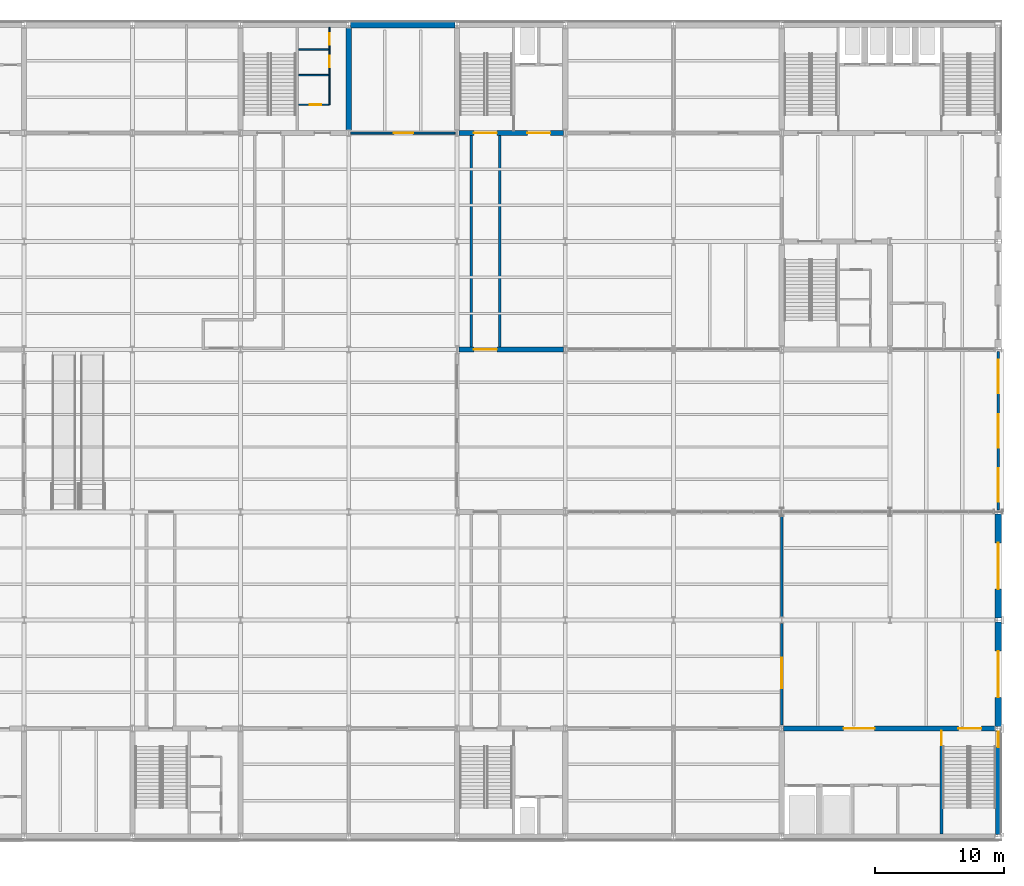
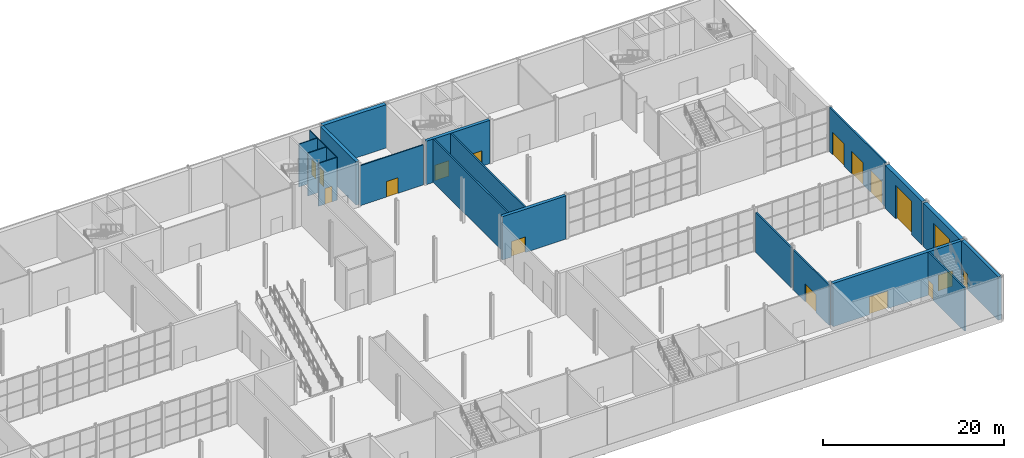
# One storey, part 35 of 55: 21 walls, 17 doors, 17 openings.
"""IFC4 building model written with IfcOpenShell, lengths in metres."""

from ifc_helpers import new_model, si_unit, direction, frame, frame_2d, origin, place, context, subcontext, project, spatial, rectangle, extrude, material, layer, layer_set, type_object, element, fill, save


model = new_model("IFC4")

# Units and contexts
model_context = context("Model", 3, precision=1e-05, world=origin(), true_north=direction((0.0, 1.0)))
body_context = subcontext(model_context, "Body", "Model", "MODEL_VIEW")
ifc_project = project(units=[si_unit("LENGTHUNIT", "METRE"), si_unit("AREAUNIT", "SQUARE_METRE"), si_unit("VOLUMEUNIT", "CUBIC_METRE"), si_unit("PLANEANGLEUNIT", "RADIAN"), si_unit("MASSUNIT", "GRAM", prefix="KILO")], contexts=[model_context])

# Site, building, storey
site_placement = place(None, origin())
site = spatial("IfcSite", under=ifc_project, at=site_placement, CompositionType="ELEMENT")
building_placement = place(site_placement, origin())
building = spatial("IfcBuilding", under=site, at=building_placement, Name="Galleria Vessillo Department Store", CompositionType="ELEMENT")
storey_placement = place(building_placement, origin())
storey = spatial("IfcBuildingStorey", under=building, at=storey_placement, Name="L00", CompositionType="ELEMENT", Elevation=0.0)

# Wall, openings, doors
ifc_material_1 = material(Name="Aluminium frame with laminated glass 44.2", Category="aluminium")
ifc_layer_1 = layer(ifc_material_1, 0.199951171875)
ifc_layer_set_1 = layer_set([ifc_layer_1], Name="Aluminium frame with laminated glass 44.2")
wall_type_1 = type_object("IfcWallType", Name="Glazed screen frame wall 200 mm", PredefinedType="STANDARD", material=ifc_layer_set_1)
wall_1_placement = place(storey_placement, frame((117.60009765625, 25.3525390625, 0.0), z_axis=(0.0, 0.0, 1.0), x_axis=(0.0, 1.0, 0.0)))
wall_1 = element("IfcWall", 1, at=wall_1_placement, inside=storey, type_object=wall_type_1, Name="Glazed screen frame wall 200 mm SCR-E-L00-01", PredefinedType="STANDARD", context=body_context, shape_type="SweptSolid", body=[
    extrude(rectangle(XDim=12.29443359375, YDim=0.199951171875, at=frame_2d((6.147216796875, 0.0))), origin(), (0.0, 0.0, 1.0), 6.0),
])
opening_1_placement = place(wall_1_placement, frame((0.6474609375, 0.0, 0.0)))
opening_1 = element("IfcOpeningElement", 2, at=opening_1_placement, cuts=wall_1, Name="Opening DS-E1", PredefinedType="OPENING", context=body_context, shape_type="SweptSolid", body=[
    extrude(rectangle(XDim=2.60009765625, YDim=3.0, at=frame_2d((1.300048828125, 1.5))), frame((0.0, 0.10986328125, 0.0), z_axis=(0.0, -1.0, 0.0), x_axis=(1.0, 0.0, 0.0)), (0.0, 0.0, 1.0), 0.219970703125),
])
opening_2_placement = place(wall_1_placement, frame((4.847412109375, 0.0, 0.0)))
opening_2 = element("IfcOpeningElement", 3, at=opening_2_placement, cuts=wall_1, Name="Opening DS-E2", PredefinedType="OPENING", context=body_context, shape_type="SweptSolid", body=[
    extrude(rectangle(XDim=2.60009765625, YDim=3.0, at=frame_2d((1.300048828125, 1.5))), frame((0.0, 0.10986328125, 0.0), z_axis=(0.0, -1.0, 0.0), x_axis=(1.0, 0.0, 0.0)), (0.0, 0.0, 1.0), 0.219970703125),
])
opening_3_placement = place(wall_1_placement, frame((9.04736328125, 0.0, 0.0)))
opening_3 = element("IfcOpeningElement", 4, at=opening_3_placement, cuts=wall_1, Name="Opening DS-E3", PredefinedType="OPENING", context=body_context, shape_type="SweptSolid", body=[
    extrude(rectangle(XDim=2.60009765625, YDim=3.0, at=frame_2d((1.300048828125, 1.5))), frame((0.0, 0.10986328125, 0.0), z_axis=(0.0, -1.0, 0.0), x_axis=(1.0, 0.0, 0.0)), (0.0, 0.0, 1.0), 0.219970703125),
])
ifc_material_2 = material(Name="Aluminium frame with laminated glass 44.2", Category="aluminium")
door_type_1 = type_object("IfcDoorType", Name="Glazed double exit door 2600 x 3000", OperationType="DOUBLE_DOOR_SINGLE_SWING", PredefinedType="DOOR", material=ifc_material_2)
door_1_placement = place(opening_1_placement, frame((2.60009765625, 0.0, 0.0), z_axis=(0.0, 0.0, 1.0), x_axis=(-1.0, 0.0, 0.0)))
door_1 = element("IfcDoor", 5, at=door_1_placement, inside=storey, type_object=door_type_1, Name="Glazed double exit door 2600 x 3000 DS-E1", OperationType="DOUBLE_DOOR_SINGLE_SWING", OverallHeight=3.0, OverallWidth=2.60009765625, PredefinedType="DOOR", context=body_context, shape_type="SweptSolid", body=[
    extrude(rectangle(XDim=2.60009765625, YDim=3.0, at=frame_2d((1.300048828125, 1.5))), frame((0.0, 0.02490234375, 0.0), z_axis=(0.0, -1.0, 0.0), x_axis=(1.0, 0.0, 0.0)), (0.0, 0.0, 1.0), 0.050048828125),
])
fill(opening_1, door_1)
door_2_placement = place(opening_2_placement, frame((2.60009765625, 0.0, 0.0), z_axis=(0.0, 0.0, 1.0), x_axis=(-1.0, 0.0, 0.0)))
door_2 = element("IfcDoor", 6, at=door_2_placement, inside=storey, type_object=door_type_1, Name="Glazed double exit door 2600 x 3000 DS-E2", OperationType="DOUBLE_DOOR_SINGLE_SWING", OverallHeight=3.0, OverallWidth=2.60009765625, PredefinedType="DOOR", context=body_context, shape_type="SweptSolid", body=[
    extrude(rectangle(XDim=2.60009765625, YDim=3.0, at=frame_2d((1.300048828125, 1.5))), frame((0.0, 0.02490234375, 0.0), z_axis=(0.0, -1.0, 0.0), x_axis=(1.0, 0.0, 0.0)), (0.0, 0.0, 1.0), 0.050048828125),
])
fill(opening_2, door_2)
door_3_placement = place(opening_3_placement, frame((2.60009765625, 0.0, 0.0), z_axis=(0.0, 0.0, 1.0), x_axis=(-1.0, 0.0, 0.0)))
door_3 = element("IfcDoor", 7, at=door_3_placement, inside=storey, type_object=door_type_1, Name="Glazed double exit door 2600 x 3000 DS-E3", OperationType="DOUBLE_DOOR_SINGLE_SWING", OverallHeight=3.0, OverallWidth=2.60009765625, PredefinedType="DOOR", context=body_context, shape_type="SweptSolid", body=[
    extrude(rectangle(XDim=2.60009765625, YDim=3.0, at=frame_2d((1.300048828125, 1.5))), frame((0.0, 0.02490234375, 0.0), z_axis=(0.0, -1.0, 0.0), x_axis=(1.0, 0.0, 0.0)), (0.0, 0.0, 1.0), 0.050048828125),
])
fill(opening_3, door_3)

# Wall, opening, door
ifc_material_3 = material(Name="Reinforced masonry, Ceppo di Gre units 80 MPa", Category="masonry")
ifc_layer_2 = layer(ifc_material_3, 0.39990234375)
ifc_layer_set_2 = layer_set([ifc_layer_2], Name="Reinforced masonry, Ceppo di Gre units 80 MPa")
wall_type_2 = type_object("IfcWallType", Name="Load-bearing Ceppo di Gre pier wall 400 mm, internal", PredefinedType="STANDARD", material=ifc_layer_set_2)
wall_2_placement = place(storey_placement, frame((75.752685546875, 37.800048828125, 0.0), z_axis=(0.0, 0.0, 1.0), x_axis=(1.0, 0.0, 0.0)))
wall_2 = element("IfcWall", 8, at=wall_2_placement, inside=storey, type_object=wall_type_2, Name="Load-bearing Ceppo di Gre pier wall 400 mm AI-BE-N-L00-01", PredefinedType="STANDARD", context=body_context, shape_type="SweptSolid", body=[
    extrude(rectangle(XDim=8.09423828125, YDim=0.39990234375, at=frame_2d((4.047119140625, 0.0))), origin(), (0.0, 0.0, 1.0), 5.85009765625),
])
opening_4_placement = place(wall_2_placement, frame((1.1474609375, 0.0, 0.0)))
opening_4 = element("IfcOpeningElement", 9, at=opening_4_placement, cuts=wall_2, Name="Opening D5356", PredefinedType="OPENING", context=body_context, shape_type="SweptSolid", body=[
    extrude(rectangle(XDim=1.800048828125, YDim=2.10009765625, at=frame_2d((0.89990234375, 1.050048828125))), frame((0.0, 0.2099609375, 0.0), z_axis=(0.0, -1.0, 0.0), x_axis=(1.0, 0.0, 0.0)), (0.0, 0.0, 1.0), 0.419921875),
])
ifc_material_4 = material(Name="Fire-rated steel door leaf", Category="steel")
door_type_2 = type_object("IfcDoorType", Name="Door D180F double leaf 1800 x 2100", OperationType="DOUBLE_DOOR_SINGLE_SWING", PredefinedType="DOOR", material=ifc_material_4)
door_4_placement = place(opening_4_placement, frame((1.800048828125, 0.0, 0.0), z_axis=(0.0, 0.0, 1.0), x_axis=(-1.0, 0.0, 0.0)))
door_4 = element("IfcDoor", 10, at=door_4_placement, inside=storey, type_object=door_type_2, Name="Passage exit door XA-ST6", OperationType="DOUBLE_DOOR_SINGLE_SWING", OverallHeight=2.10009765625, OverallWidth=1.800048828125, PredefinedType="DOOR", context=body_context, shape_type="SweptSolid", body=[
    extrude(rectangle(XDim=1.800048828125, YDim=2.10009765625, at=frame_2d((0.89990234375, 1.050048828125))), frame((0.0, 0.02490234375, 0.0), z_axis=(0.0, -1.0, 0.0), x_axis=(1.0, 0.0, 0.0)), (0.0, 0.0, 1.0), 0.050048828125),
])
fill(opening_4, door_4)

ifc_material_5 = material(Name="Reinforced masonry, limestone units 80 MPa", Category="masonry")
ifc_layer_3 = layer(ifc_material_5, 0.5)
ifc_layer_set_3 = layer_set([ifc_layer_3], Name="Reinforced masonry, limestone units 80 MPa")
wall_type_3 = type_object("IfcWallType", Name="Load-bearing limestone-faced wall 500 mm", PredefinedType="STANDARD", material=ifc_layer_set_3)
wall_3_placement = place(storey_placement, frame((117.60009765625, 8.5498046875, 0.0), z_axis=(0.0, 0.0, 1.0), x_axis=(0.0, 1.0, 0.0)))
wall_3 = element("IfcWall", 11, at=wall_3_placement, inside=storey, type_object=wall_type_3, Name="Load-bearing limestone-faced wall 500 mm SE-S-L00-01", PredefinedType="STANDARD", context=body_context, shape_type="SweptSolid", body=[
    extrude(rectangle(XDim=8.100341796875, YDim=0.5, at=frame_2d((4.05029296875, 0.0))), origin(), (0.0, 0.0, 1.0), 5.85009765625),
])
opening_5_placement = place(wall_3_placement, frame((2.250244140625, 0.0, 0.0)))
opening_5 = element("IfcOpeningElement", 12, at=opening_5_placement, cuts=wall_3, Name="Opening DK1", PredefinedType="OPENING", context=body_context, shape_type="SweptSolid", body=[
    extrude(rectangle(XDim=3.60009765625, YDim=4.5, at=frame_2d((1.800048828125, 2.25))), frame((0.0, 0.260009765625, 0.0), z_axis=(0.0, -1.0, 0.0), x_axis=(1.0, 0.0, 0.0)), (0.0, 0.0, 1.0), 0.52001953125),
])
ifc_material_6 = material(Name="Galvanised steel sectional leaf", Category="steel")
door_type_3 = type_object("IfcDoorType", Name="Sectional loading dock door 3600 x 4500", OperationType="ROLLINGUP", PredefinedType="DOOR", material=ifc_material_6)
door_5_placement = place(opening_5_placement, frame((3.60009765625, 0.0, 0.0), z_axis=(0.0, 0.0, 1.0), x_axis=(-1.0, 0.0, 0.0)))
door_5 = element("IfcDoor", 13, at=door_5_placement, inside=storey, type_object=door_type_3, Name="Sectional loading dock door 3600 x 4500 DK1", OperationType="ROLLINGUP", OverallHeight=4.5, OverallWidth=3.60009765625, PredefinedType="DOOR", context=body_context, shape_type="SweptSolid", body=[
    extrude(rectangle(XDim=3.60009765625, YDim=4.5, at=frame_2d((1.800048828125, 2.25))), frame((0.0, 0.02490234375, 0.0), z_axis=(0.0, -1.0, 0.0), x_axis=(1.0, 0.0, 0.0)), (0.0, 0.0, 1.0), 0.050048828125),
])
fill(opening_5, door_5)

wall_4_placement = place(storey_placement, frame((117.60009765625, 16.949951171875, 0.0), z_axis=(0.0, 0.0, 1.0), x_axis=(0.0, 1.0, 0.0)))
wall_4 = element("IfcWall", 14, at=wall_4_placement, inside=storey, type_object=wall_type_3, Name="Load-bearing limestone-faced wall 500 mm SE-S-L00-02", PredefinedType="STANDARD", context=body_context, shape_type="SweptSolid", body=[
    extrude(rectangle(XDim=8.097412109375, YDim=0.5, at=frame_2d((4.048828125, 0.0))), origin(), (0.0, 0.0, 1.0), 5.85009765625),
])
opening_6_placement = place(wall_4_placement, frame((2.25, 0.0, 0.0)))
opening_6 = element("IfcOpeningElement", 15, at=opening_6_placement, cuts=wall_4, Name="Opening DK2", PredefinedType="OPENING", context=body_context, shape_type="SweptSolid", body=[
    extrude(rectangle(XDim=3.60009765625, YDim=4.5, at=frame_2d((1.800048828125, 2.25))), frame((0.0, 0.260009765625, 0.0), z_axis=(0.0, -1.0, 0.0), x_axis=(1.0, 0.0, 0.0)), (0.0, 0.0, 1.0), 0.52001953125),
])
door_6_placement = place(opening_6_placement, frame((3.60009765625, 0.0, 0.0), z_axis=(0.0, 0.0, 1.0), x_axis=(-1.0, 0.0, 0.0)))
door_6 = element("IfcDoor", 16, at=door_6_placement, inside=storey, type_object=door_type_3, Name="Sectional loading dock door 3600 x 4500 DK2", OperationType="ROLLINGUP", OverallHeight=4.5, OverallWidth=3.60009765625, PredefinedType="DOOR", context=body_context, shape_type="SweptSolid", body=[
    extrude(rectangle(XDim=3.60009765625, YDim=4.5, at=frame_2d((1.800048828125, 2.25))), frame((0.0, 0.02490234375, 0.0), z_axis=(0.0, -1.0, 0.0), x_axis=(1.0, 0.0, 0.0)), (0.0, 0.0, 1.0), 0.050048828125),
])
fill(opening_6, door_6)

# Walls
ifc_material_7 = material(Name="Solid clay block masonry", Category="masonry")
ifc_layer_4 = layer(ifc_material_7, 0.199951171875)
ifc_layer_set_4 = layer_set([ifc_layer_4], Name="Solid clay block masonry")
wall_type_4 = type_object("IfcWallType", Name="Protected exit passage wall 200 mm", PredefinedType="PARTITIONING", material=ifc_layer_set_4)
for number, where, z_axis, x_axis, name in (
    (17, (76.699951171875, 54.400146484375, 0.0), (0.0, 0.0, 1.0), (0.0, -1.0, 0.0), "Protected passage wall ST6"),
    (18, (78.900146484375, 54.400146484375, 0.0), (0.0, 0.0, 1.0), (0.0, -1.0, 0.0), "Protected passage wall ST6"),
):
    element("IfcWall", number, at=place(storey_placement, frame(where, z_axis=z_axis, x_axis=x_axis)), inside=storey, type_object=wall_type_4, Name=name, PredefinedType="PARTITIONING", context=body_context, shape_type="SweptSolid", body=[
        extrude(rectangle(XDim=16.400146484375, YDim=0.199951171875, at=frame_2d((8.2001953125, 0.0))), origin(), (0.0, 0.0, 1.0), 5.85009765625),
    ])

# Wall, opening, door
ifc_material_8 = material(Name="Concrete blockwork", Category="masonry")
ifc_layer_5 = layer(ifc_material_8, 0.18994140625)
ifc_layer_set_5 = layer_set([ifc_layer_5], Name="Concrete blockwork")
wall_type_5 = type_object("IfcWallType", Name="Refuse store and dock blockwork wall 190 mm", PredefinedType="SOLIDWALL", material=ifc_layer_set_5)
wall_5_placement = place(storey_placement, frame((100.800048828125, 8.64990234375, 0.0), z_axis=(0.0, 0.0, 1.0), x_axis=(0.0, 1.0, 0.0)))
wall_5 = element("IfcWall", 19, at=wall_5_placement, inside=storey, type_object=wall_type_5, Name="Partition wall PT7 on L00 no. 040", PredefinedType="SOLIDWALL", context=body_context, shape_type="SweptSolid", body=[
    extrude(rectangle(XDim=7.900146484375, YDim=0.18994140625, at=frame_2d((3.9501953125, 0.0))), origin(), (0.0, 0.0, 1.0), 5.41015625),
])
opening_7_placement = place(wall_5_placement, frame((2.85009765625, 0.0, 0.0)))
opening_7 = element("IfcOpeningElement", 20, at=opening_7_placement, cuts=wall_5, Name="Opening D2224", PredefinedType="OPENING", context=body_context, shape_type="SweptSolid", body=[
    extrude(rectangle(XDim=2.39990234375, YDim=2.39990234375, at=frame_2d((1.199951171875, 1.199951171875))), frame((0.0, 0.10498046875, 0.0), z_axis=(0.0, -1.0, 0.0), x_axis=(1.0, 0.0, 0.0)), (0.0, 0.0, 1.0), 0.2099609375),
])
ifc_material_9 = material(Name="Timber and glass door leaf", Category="wood")
door_type_4 = type_object("IfcDoorType", Name="Floor door 2400 double leaf", OperationType="DOUBLE_DOOR_SINGLE_SWING", PredefinedType="DOOR", material=ifc_material_9)
door_7_placement = place(opening_7_placement, frame((2.39990234375, 0.0, 0.0), z_axis=(0.0, 0.0, 1.0), x_axis=(-1.0, 0.0, 0.0)))
door_7 = element("IfcDoor", 21, at=door_7_placement, inside=storey, type_object=door_type_4, Name="Door D2224", OperationType="DOUBLE_DOOR_SINGLE_SWING", OverallHeight=2.39990234375, OverallWidth=2.39990234375, PredefinedType="DOOR", context=body_context, shape_type="SweptSolid", body=[
    extrude(rectangle(XDim=2.39990234375, YDim=2.39990234375, at=frame_2d((1.199951171875, 1.199951171875))), frame((0.0, 0.02490234375, 0.0), z_axis=(0.0, -1.0, 0.0), x_axis=(1.0, 0.0, 0.0)), (0.0, 0.0, 1.0), 0.050048828125),
])
fill(opening_7, door_7)

# Wall
wall_6_placement = place(storey_placement, frame((100.800048828125, 17.050048828125, 0.0), z_axis=(0.0, 0.0, 1.0), x_axis=(0.0, 1.0, 0.0)))
element("IfcWall", 22, at=wall_6_placement, inside=storey, type_object=wall_type_5, Name="Partition wall PT7 on L00 no. 041", PredefinedType="SOLIDWALL", context=body_context, shape_type="SweptSolid", body=[
    extrude(rectangle(XDim=7.81591796875, YDim=0.18994140625, at=frame_2d((3.907958984375, 0.0))), origin(), (0.0, 0.0, 1.0), 5.41015625),
])

# Wall, openings, doors
ifc_material_10 = material(Name="Concrete C32/40 reinforced", Category="concrete")
ifc_layer_6 = layer(ifc_material_10, 0.39990234375)
ifc_layer_set_6 = layer_set([ifc_layer_6], Name="Concrete C32/40 reinforced")
wall_type_6 = type_object("IfcWallType", Name="Reinforced concrete core wall 400 mm", PredefinedType="SHEAR", material=ifc_layer_set_6)
wall_7_placement = place(storey_placement, frame((75.75, 54.60009765625, 0.0), z_axis=(0.0, 0.0, 1.0), x_axis=(1.0, 0.0, 0.0)))
wall_7 = element("IfcWall", 23, at=wall_7_placement, inside=storey, type_object=wall_type_6, Name="S-CW-PC-NE-INTERIOR-L00", PredefinedType="SHEAR", context=body_context, shape_type="SweptSolid", body=[
    extrude(rectangle(XDim=8.096923828125, YDim=0.39990234375, at=frame_2d((4.04833984375, 0.0))), origin(), (0.0, 0.0, 1.0), 5.85009765625),
])
opening_8_placement = place(wall_7_placement, frame((5.2998046875, 0.0, 0.0)))
opening_8 = element("IfcOpeningElement", 24, at=opening_8_placement, cuts=wall_7, Name="Opening D5168", PredefinedType="OPENING", context=body_context, shape_type="SweptSolid", body=[
    extrude(rectangle(XDim=1.800048828125, YDim=2.10009765625, at=frame_2d((0.89990234375, 1.050048828125))), frame((0.0, 0.2099609375, 0.0), z_axis=(0.0, -1.0, 0.0), x_axis=(1.0, 0.0, 0.0)), (0.0, 0.0, 1.0), 0.419921875),
])
opening_9_placement = place(wall_7_placement, frame((1.14990234375, 0.0, 0.0)))
opening_9 = element("IfcOpeningElement", 25, at=opening_9_placement, cuts=wall_7, Name="Opening D5346", PredefinedType="OPENING", context=body_context, shape_type="SweptSolid", body=[
    extrude(rectangle(XDim=1.800048828125, YDim=2.10009765625, at=frame_2d((0.89990234375, 1.050048828125))), frame((0.0, 0.2099609375, 0.0), z_axis=(0.0, -1.0, 0.0), x_axis=(1.0, 0.0, 0.0)), (0.0, 0.0, 1.0), 0.419921875),
])
door_8_placement = place(opening_8_placement, origin())
door_8 = element("IfcDoor", 26, at=door_8_placement, inside=storey, type_object=door_type_2, Name="Lobby door PC-NE-LOBBY-FLOOR L00", OperationType="DOUBLE_DOOR_SINGLE_SWING", OverallHeight=2.10009765625, OverallWidth=1.800048828125, PredefinedType="DOOR", context=body_context, shape_type="SweptSolid", body=[
    extrude(rectangle(XDim=1.800048828125, YDim=2.10009765625, at=frame_2d((0.89990234375, 1.050048828125))), frame((0.0, 0.02490234375, 0.0), z_axis=(0.0, -1.0, 0.0), x_axis=(1.0, 0.0, 0.0)), (0.0, 0.0, 1.0), 0.050048828125),
])
fill(opening_8, door_8)
door_9_placement = place(opening_9_placement, frame((1.800048828125, 0.0, 0.0), z_axis=(0.0, 0.0, 1.0), x_axis=(-1.0, 0.0, 0.0)))
door_9 = element("IfcDoor", 27, at=door_9_placement, inside=storey, type_object=door_type_2, Name="Stair exit door X-ST6", OperationType="DOUBLE_DOOR_SINGLE_SWING", OverallHeight=2.10009765625, OverallWidth=1.800048828125, PredefinedType="DOOR", context=body_context, shape_type="SweptSolid", body=[
    extrude(rectangle(XDim=1.800048828125, YDim=2.10009765625, at=frame_2d((0.89990234375, 1.050048828125))), frame((0.0, 0.02490234375, 0.0), z_axis=(0.0, -1.0, 0.0), x_axis=(1.0, 0.0, 0.0)), (0.0, 0.0, 1.0), 0.050048828125),
])
fill(opening_9, door_9)

# Wall
wall_8_placement = place(storey_placement, frame((67.199951171875, 54.85009765625, 0.0), z_axis=(0.0, 0.0, 1.0), x_axis=(0.0, 1.0, 0.0)))
element("IfcWall", 28, at=wall_8_placement, inside=storey, type_object=wall_type_6, Name="S-CW-PC-NC-EAST-L00", PredefinedType="SHEAR", context=body_context, shape_type="SweptSolid", body=[
    extrude(rectangle(XDim=7.89990234375, YDim=0.39990234375, at=frame_2d((3.949951171875, 0.0))), origin(), (0.0, 0.0, 1.0), 5.85009765625),
])

# Wall, openings, doors
wall_9_placement = place(storey_placement, frame((100.949951171875, 8.39990234375, 0.0), z_axis=(0.0, 0.0, 1.0), x_axis=(1.0, 0.0, 0.0)))
wall_9 = element("IfcWall", 29, at=wall_9_placement, inside=storey, type_object=wall_type_6, Name="S-CW-GC-INTERIOR-L00", PredefinedType="SHEAR", context=body_context, shape_type="SweptSolid", body=[
    extrude(rectangle(XDim=16.400146484375, YDim=0.39990234375, at=frame_2d((8.2001953125, 0.0))), origin(), (0.0, 0.0, 1.0), 5.85009765625),
])
opening_10_placement = place(wall_9_placement, frame((13.5498046875, 0.0, 0.0)))
opening_10 = element("IfcOpeningElement", 30, at=opening_10_placement, cuts=wall_9, Name="Opening D5232", PredefinedType="OPENING", context=body_context, shape_type="SweptSolid", body=[
    extrude(rectangle(XDim=1.800048828125, YDim=2.10009765625, at=frame_2d((0.89990234375, 1.050048828125))), frame((0.0, 0.2099609375, 0.0), z_axis=(0.0, -1.0, 0.0), x_axis=(1.0, 0.0, 0.0)), (0.0, 0.0, 1.0), 0.419921875),
])
opening_11_placement = place(wall_9_placement, frame((4.64990234375, 0.0, 0.0)))
opening_11 = element("IfcOpeningElement", 31, at=opening_11_placement, cuts=wall_9, Name="Opening D5233", PredefinedType="OPENING", context=body_context, shape_type="SweptSolid", body=[
    extrude(rectangle(XDim=2.39990234375, YDim=2.39990234375, at=frame_2d((1.199951171875, 1.199951171875))), frame((0.0, 0.2099609375, 0.0), z_axis=(0.0, -1.0, 0.0), x_axis=(1.0, 0.0, 0.0)), (0.0, 0.0, 1.0), 0.419921875),
])
door_10_placement = place(opening_10_placement, origin())
door_10 = element("IfcDoor", 32, at=door_10_placement, inside=storey, type_object=door_type_2, Name="Lobby door GC-ST7-FLOOR L00", OperationType="DOUBLE_DOOR_SINGLE_SWING", OverallHeight=2.10009765625, OverallWidth=1.800048828125, PredefinedType="DOOR", context=body_context, shape_type="SweptSolid", body=[
    extrude(rectangle(XDim=1.800048828125, YDim=2.10009765625, at=frame_2d((0.89990234375, 1.050048828125))), frame((0.0, 0.02490234375, 0.0), z_axis=(0.0, -1.0, 0.0), x_axis=(1.0, 0.0, 0.0)), (0.0, 0.0, 1.0), 0.050048828125),
])
fill(opening_10, door_10)
ifc_material_11 = material(Name="Fire-rated steel door leaf", Category="steel")
door_type_5 = type_object("IfcDoorType", Name="Door D240F double leaf 2400 x 2400", OperationType="DOUBLE_DOOR_SINGLE_SWING", PredefinedType="DOOR", material=ifc_material_11)
door_11_placement = place(opening_11_placement, origin())
door_11 = element("IfcDoor", 33, at=door_11_placement, inside=storey, type_object=door_type_5, Name="Lobby door GC-DOCK L00", OperationType="DOUBLE_DOOR_SINGLE_SWING", OverallHeight=2.39990234375, OverallWidth=2.39990234375, PredefinedType="DOOR", context=body_context, shape_type="SweptSolid", body=[
    extrude(rectangle(XDim=2.39990234375, YDim=2.39990234375, at=frame_2d((1.199951171875, 1.199951171875))), frame((0.0, 0.02490234375, 0.0), z_axis=(0.0, -1.0, 0.0), x_axis=(1.0, 0.0, 0.0)), (0.0, 0.0, 1.0), 0.050048828125),
])
fill(opening_11, door_11)

# Wall, opening, door
ifc_material_12 = material(Name="Concrete C32/40 reinforced", Category="concrete")
ifc_layer_7 = layer(ifc_material_12, 0.39990234375)
ifc_layer_set_7 = layer_set([ifc_layer_7], Name="Concrete C32/40 reinforced")
wall_type_7 = type_object("IfcWallType", Name="Reinforced concrete core wall 400 mm, external", PredefinedType="SHEAR", material=ifc_layer_set_7)
wall_10_placement = place(storey_placement, frame((117.60009765625, 0.14990234375, 0.0), z_axis=(0.0, 0.0, 1.0), x_axis=(0.0, 1.0, 0.0)))
wall_10 = element("IfcWall", 34, at=wall_10_placement, inside=storey, type_object=wall_type_7, Name="S-CW-GC-EAST-L00", PredefinedType="SHEAR", context=body_context, shape_type="SweptSolid", body=[
    extrude(rectangle(XDim=8.10009765625, YDim=0.39990234375, at=frame_2d((4.050048828125, 0.0))), origin(), (0.0, 0.0, 1.0), 5.85009765625),
])
opening_12_placement = place(wall_10_placement, frame((6.7998046875, 0.0, 0.0)))
opening_12 = element("IfcOpeningElement", 35, at=opening_12_placement, cuts=wall_10, Name="Opening D5349", PredefinedType="OPENING", context=body_context, shape_type="SweptSolid", body=[
    extrude(rectangle(XDim=1.199951171875, YDim=2.10009765625, at=frame_2d((0.60009765625, 1.050048828125))), frame((0.0, 0.2099609375, 0.0), z_axis=(0.0, -1.0, 0.0), x_axis=(1.0, 0.0, 0.0)), (0.0, 0.0, 1.0), 0.419921875),
])
ifc_material_13 = material(Name="Fire-rated steel door leaf", Category="steel")
door_type_6 = type_object("IfcDoorType", Name="Door D120F fire door 1200 x 2100", OperationType="SINGLE_SWING_LEFT", PredefinedType="DOOR", material=ifc_material_13)
door_12_placement = place(opening_12_placement, frame((1.199951171875, 0.0, 0.0), z_axis=(0.0, 0.0, 1.0), x_axis=(-1.0, 0.0, 0.0)))
door_12 = element("IfcDoor", 36, at=door_12_placement, inside=storey, type_object=door_type_6, Name="Stair exit door X-ST7", OperationType="SINGLE_SWING_LEFT", OverallHeight=2.10009765625, OverallWidth=1.199951171875, PredefinedType="DOOR", context=body_context, shape_type="SweptSolid", body=[
    extrude(rectangle(XDim=1.199951171875, YDim=2.10009765625, at=frame_2d((0.60009765625, 1.050048828125))), frame((0.0, 0.02490234375, 0.0), z_axis=(0.0, -1.0, 0.0), x_axis=(1.0, 0.0, 0.0)), (0.0, 0.0, 1.0), 0.050048828125),
])
fill(opening_12, door_12)

# Wall
ifc_material_14 = material(Name="Concrete C32/40 reinforced", Category="concrete")
ifc_layer_8 = layer(ifc_material_14, 0.5)
ifc_layer_set_8 = layer_set([ifc_layer_8], Name="Concrete C32/40 reinforced")
wall_type_8 = type_object("IfcWallType", Name="Reinforced concrete party wall 500 mm", PredefinedType="SHEAR", material=ifc_layer_set_8)
wall_11_placement = place(storey_placement, frame((67.349853515625, 63.0, 0.0), z_axis=(0.0, 0.0, 1.0), x_axis=(1.0, 0.0, 0.0)))
element("IfcWall", 37, at=wall_11_placement, inside=storey, type_object=wall_type_8, Name="S-PN-L00-06", PredefinedType="SHEAR", context=body_context, shape_type="SweptSolid", body=[
    extrude(rectangle(XDim=8.100341796875, YDim=0.5, at=frame_2d((4.05029296875, 0.0))), origin(), (0.0, 0.0, 1.0), 5.85009765625),
])

# Wall, opening, door
ifc_material_15 = material(Name="Concrete C32/40 reinforced", Category="concrete")
ifc_layer_9 = layer(ifc_material_15, 0.199951171875)
ifc_layer_set_9 = layer_set([ifc_layer_9], Name="Concrete C32/40 reinforced")
wall_type_9 = type_object("IfcWallType", Name="Reinforced concrete stair enclosure wall 200 mm", PredefinedType="SHEAR", material=ifc_layer_set_9)
wall_12_placement = place(storey_placement, frame((113.199951171875, 0.199951171875, 0.0), z_axis=(0.0, 0.0, 1.0), x_axis=(0.0, 1.0, 0.0)))
wall_12 = element("IfcWall", 38, at=wall_12_placement, inside=storey, type_object=wall_type_9, Name="Stair enclosure wall GC L00", PredefinedType="SHEAR", context=body_context, shape_type="SweptSolid", body=[
    extrude(rectangle(XDim=8.0, YDim=0.199951171875, at=frame_2d((4.0, 0.0))), origin(), (0.0, 0.0, 1.0), 5.85009765625),
])
opening_13_placement = place(wall_12_placement, frame((6.89990234375, 0.0, 0.0)))
opening_13 = element("IfcOpeningElement", 39, at=opening_13_placement, cuts=wall_12, Name="Opening D5229", PredefinedType="OPENING", context=body_context, shape_type="SweptSolid", body=[
    extrude(rectangle(XDim=1.11009765625, YDim=2.10009765625, at=frame_2d((0.554931640625, 1.050048828125))), frame((0.0, 0.10986328125, 0.0), z_axis=(0.0, -1.0, 0.0), x_axis=(1.0, 0.0, 0.0)), (0.0, 0.0, 1.0), 0.219970703125),
])
ifc_material_16 = material(Name="Fire-rated steel door leaf", Category="steel")
door_type_7 = type_object("IfcDoorType", Name="Door D110F stair door 1100 x 2100", OperationType="SINGLE_SWING_LEFT", PredefinedType="DOOR", material=ifc_material_16)
door_13_placement = place(opening_13_placement, origin())
door_13 = element("IfcDoor", 40, at=door_13_placement, inside=storey, type_object=door_type_7, Name="Stair door GC-ST7-LOBBY L00", OperationType="SINGLE_SWING_RIGHT", OverallHeight=2.10009765625, OverallWidth=1.10009765625, PredefinedType="DOOR", context=body_context, shape_type="SweptSolid", body=[
    extrude(rectangle(XDim=1.10009765625, YDim=2.10009765625, at=frame_2d((0.550048828125, 1.050048828125))), frame((0.0, 0.02490234375, 0.0), z_axis=(0.0, -1.0, 0.0), x_axis=(1.0, 0.0, 0.0)), (0.0, 0.0, 1.0), 0.050048828125),
])
fill(opening_13, door_13)

ifc_material_17 = material(Name="Concrete blockwork", Category="masonry")
ifc_layer_10 = layer(ifc_material_17, 0.14990234375)
ifc_layer_set_10 = layer_set([ifc_layer_10], Name="Concrete blockwork")
wall_type_10 = type_object("IfcWallType", Name="Stockroom blockwork wall 150 mm", PredefinedType="SOLIDWALL", material=ifc_layer_set_10)
wall_13_placement = place(storey_placement, frame((67.349853515625, 54.60009765625, 0.0), z_axis=(0.0, 0.0, 1.0), x_axis=(1.0, 0.0, 0.0)))
wall_13 = element("IfcWall", 41, at=wall_13_placement, inside=storey, type_object=wall_type_10, Name="Partition wall PT4 on L00 no. 036", PredefinedType="SOLIDWALL", context=body_context, shape_type="SweptSolid", body=[
    extrude(rectangle(XDim=8.100341796875, YDim=0.14990234375, at=frame_2d((4.05029296875, 0.0))), origin(), (0.0, 0.0, 1.0), 5.41015625),
])
opening_14_placement = place(wall_13_placement, frame((3.35009765625, 0.0, 0.0)))
opening_14 = element("IfcOpeningElement", 42, at=opening_14_placement, cuts=wall_13, Name="Opening D2221", PredefinedType="OPENING", context=body_context, shape_type="SweptSolid", body=[
    extrude(rectangle(XDim=1.5, YDim=2.10009765625, at=frame_2d((0.75, 1.050048828125))), frame((0.0, 0.0849609375, 0.0), z_axis=(0.0, -1.0, 0.0), x_axis=(1.0, 0.0, 0.0)), (0.0, 0.0, 1.0), 0.169921875),
])
ifc_material_18 = material(Name="Steel fire door leaf", Category="steel")
door_type_8 = type_object("IfcDoorType", Name="Stockroom fire door 1500 double leaf", OperationType="DOUBLE_DOOR_SINGLE_SWING", PredefinedType="DOOR", material=ifc_material_18)
door_14_placement = place(opening_14_placement, origin())
door_14 = element("IfcDoor", 43, at=door_14_placement, inside=storey, type_object=door_type_8, Name="Door D2221", OperationType="DOUBLE_DOOR_SINGLE_SWING", OverallHeight=2.10009765625, OverallWidth=1.5, PredefinedType="DOOR", context=body_context, shape_type="SweptSolid", body=[
    extrude(rectangle(XDim=1.5, YDim=2.10009765625, at=frame_2d((0.75, 1.050048828125))), frame((0.0, 0.02490234375, 0.0), z_axis=(0.0, -1.0, 0.0), x_axis=(1.0, 0.0, 0.0)), (0.0, 0.0, 1.0), 0.050048828125),
])
fill(opening_14, door_14)

ifc_material_19 = material(Name="Moisture-resistant board partition")
ifc_layer_11 = layer(ifc_material_19, 0.10009765625)
ifc_layer_set_11 = layer_set([ifc_layer_11], Name="Moisture-resistant board partition")
wall_type_11 = type_object("IfcWallType", Name="WC and cubicle partition 100 mm", PredefinedType="PARTITIONING", material=ifc_layer_set_11)
wall_14_placement = place(storey_placement, frame((63.300048828125, 56.800048828125, 0.0), z_axis=(0.0, 0.0, 1.0), x_axis=(1.0, 0.0, 0.0)))
wall_14 = element("IfcWall", 44, at=wall_14_placement, inside=storey, type_object=wall_type_11, Name="Partition wall PT1 on L00 no. 007", PredefinedType="PARTITIONING", context=body_context, shape_type="SweptSolid", body=[
    extrude(rectangle(XDim=2.39990234375, YDim=0.10009765625, at=frame_2d((1.199951171875, 0.0))), origin(), (0.0, 0.0, 1.0), 5.780029296875),
])
opening_15_placement = place(wall_14_placement, frame((0.85009765625, 0.0, 0.0)))
opening_15 = element("IfcOpeningElement", 45, at=opening_15_placement, cuts=wall_14, Name="Opening D2204", PredefinedType="OPENING", context=body_context, shape_type="SweptSolid", body=[
    extrude(rectangle(XDim=0.89990234375, YDim=2.10009765625, at=frame_2d((0.449951171875, 1.050048828125))), frame((0.0, 0.06005859375, 0.0), z_axis=(0.0, -1.0, 0.0), x_axis=(1.0, 0.0, 0.0)), (0.0, 0.0, 1.0), 0.1201171875),
])
ifc_material_20 = material(Name="Timber and glass door leaf", Category="wood")
door_type_9 = type_object("IfcDoorType", Name="Floor door 900 single leaf", OperationType="SINGLE_SWING_LEFT", PredefinedType="DOOR", material=ifc_material_20)
door_15_placement = place(opening_15_placement, frame((0.89990234375, 0.0, 0.0), z_axis=(0.0, 0.0, 1.0), x_axis=(-1.0, 0.0, 0.0)))
door_15 = element("IfcDoor", 46, at=door_15_placement, inside=storey, type_object=door_type_9, Name="Door D2204", OperationType="SINGLE_SWING_RIGHT", OverallHeight=2.10009765625, OverallWidth=0.89990234375, PredefinedType="DOOR", context=body_context, shape_type="SweptSolid", body=[
    extrude(rectangle(XDim=0.89990234375, YDim=2.10009765625, at=frame_2d((0.449951171875, 1.050048828125))), frame((0.0, 0.02490234375, 0.0), z_axis=(0.0, -1.0, 0.0), x_axis=(1.0, 0.0, 0.0)), (0.0, 0.0, 1.0), 0.050048828125),
])
fill(opening_15, door_15)

# Wall
wall_15_placement = place(storey_placement, frame((65.699951171875, 56.800048828125, 0.0), z_axis=(0.0, 0.0, 1.0), x_axis=(0.0, 1.0, 0.0)))
element("IfcWall", 47, at=wall_15_placement, inside=storey, type_object=wall_type_11, Name="Partition wall PT1 on L00 no. 008", PredefinedType="PARTITIONING", context=body_context, shape_type="SweptSolid", body=[
    extrude(rectangle(XDim=2.300048828125, YDim=0.10009765625, at=frame_2d((1.14990234375, 0.0))), origin(), (0.0, 0.0, 1.0), 5.780029296875),
])

# Wall, opening, door
wall_16_placement = place(storey_placement, frame((65.699951171875, 59.10009765625, 0.0), z_axis=(0.0, 0.0, 1.0), x_axis=(0.0, 1.0, 0.0)))
wall_16 = element("IfcWall", 48, at=wall_16_placement, inside=storey, type_object=wall_type_11, Name="Partition wall PT1 on L00 no. 009", PredefinedType="PARTITIONING", context=body_context, shape_type="SweptSolid", body=[
    extrude(rectangle(XDim=2.0, YDim=0.10009765625, at=frame_2d((1.0, 0.0))), origin(), (0.0, 0.0, 1.0), 5.780029296875),
])
opening_16_placement = place(wall_16_placement, frame((0.60009765625, 0.0, 0.0)))
opening_16 = element("IfcOpeningElement", 49, at=opening_16_placement, cuts=wall_16, Name="Opening D2205", PredefinedType="OPENING", context=body_context, shape_type="SweptSolid", body=[
    extrude(rectangle(XDim=0.89990234375, YDim=2.10009765625, at=frame_2d((0.449951171875, 1.050048828125))), frame((0.0, 0.06005859375, 0.0), z_axis=(0.0, -1.0, 0.0), x_axis=(1.0, 0.0, 0.0)), (0.0, 0.0, 1.0), 0.1201171875),
])
door_16_placement = place(opening_16_placement, frame((0.89990234375, 0.0, 0.0), z_axis=(0.0, 0.0, 1.0), x_axis=(-1.0, 0.0, 0.0)))
door_16 = element("IfcDoor", 50, at=door_16_placement, inside=storey, type_object=door_type_9, Name="Door D2205", OperationType="SINGLE_SWING_RIGHT", OverallHeight=2.10009765625, OverallWidth=0.89990234375, PredefinedType="DOOR", context=body_context, shape_type="SweptSolid", body=[
    extrude(rectangle(XDim=0.89990234375, YDim=2.10009765625, at=frame_2d((0.449951171875, 1.050048828125))), frame((0.0, 0.02490234375, 0.0), z_axis=(0.0, -1.0, 0.0), x_axis=(1.0, 0.0, 0.0)), (0.0, 0.0, 1.0), 0.050048828125),
])
fill(opening_16, door_16)

wall_17_placement = place(storey_placement, frame((65.699951171875, 61.10009765625, 0.0), z_axis=(0.0, 0.0, 1.0), x_axis=(0.0, 1.0, 0.0)))
wall_17 = element("IfcWall", 51, at=wall_17_placement, inside=storey, type_object=wall_type_11, Name="Partition wall PT1 on L00 no. 010", PredefinedType="PARTITIONING", context=body_context, shape_type="SweptSolid", body=[
    extrude(rectangle(XDim=1.699951171875, YDim=0.10009765625, at=frame_2d((0.85009765625, 0.0))), origin(), (0.0, 0.0, 1.0), 5.780029296875),
])
opening_17_placement = place(wall_17_placement, frame((0.35009765625, 0.0, 0.0)))
opening_17 = element("IfcOpeningElement", 52, at=opening_17_placement, cuts=wall_17, Name="Opening D2206", PredefinedType="OPENING", context=body_context, shape_type="SweptSolid", body=[
    extrude(rectangle(XDim=0.89990234375, YDim=2.10009765625, at=frame_2d((0.449951171875, 1.050048828125))), frame((0.0, 0.06005859375, 0.0), z_axis=(0.0, -1.0, 0.0), x_axis=(1.0, 0.0, 0.0)), (0.0, 0.0, 1.0), 0.1201171875),
])
ifc_material_21 = material(Name="Timber and glass door leaf", Category="wood")
door_type_10 = type_object("IfcDoorType", Name="Accessible WC door 900 sliding", OperationType="SLIDING_TO_LEFT", PredefinedType="DOOR", material=ifc_material_21)
door_17_placement = place(opening_17_placement, origin())
door_17 = element("IfcDoor", 53, at=door_17_placement, inside=storey, type_object=door_type_10, Name="Door D2206", OperationType="SLIDING_TO_RIGHT", OverallHeight=2.10009765625, OverallWidth=0.89990234375, PredefinedType="DOOR", context=body_context, shape_type="SweptSolid", body=[
    extrude(rectangle(XDim=0.89990234375, YDim=2.10009765625, at=frame_2d((0.449951171875, 1.050048828125))), frame((0.0, 0.02490234375, 0.0), z_axis=(0.0, -1.0, 0.0), x_axis=(1.0, 0.0, 0.0)), (0.0, 0.0, 1.0), 0.050048828125),
])
fill(opening_17, door_17)

# Walls
for number, where, z_axis, x_axis, name in (
    (54, (63.300048828125, 59.10009765625, 0.0), (0.0, 0.0, 1.0), (1.0, 0.0, 0.0), "Partition wall PT1 on L00 no. 011"),
    (55, (63.300048828125, 61.10009765625, 0.0), (0.0, 0.0, 1.0), (1.0, 0.0, 0.0), "Partition wall PT1 on L00 no. 012"),
):
    element("IfcWall", number, at=place(storey_placement, frame(where, z_axis=z_axis, x_axis=x_axis)), inside=storey, type_object=wall_type_11, Name=name, PredefinedType="PARTITIONING", context=body_context, shape_type="SweptSolid", body=[
        extrude(rectangle(XDim=2.39990234375, YDim=0.10009765625, at=frame_2d((1.199951171875, 0.0))), origin(), (0.0, 0.0, 1.0), 5.780029296875),
    ])

save(model, "model.ifc")
